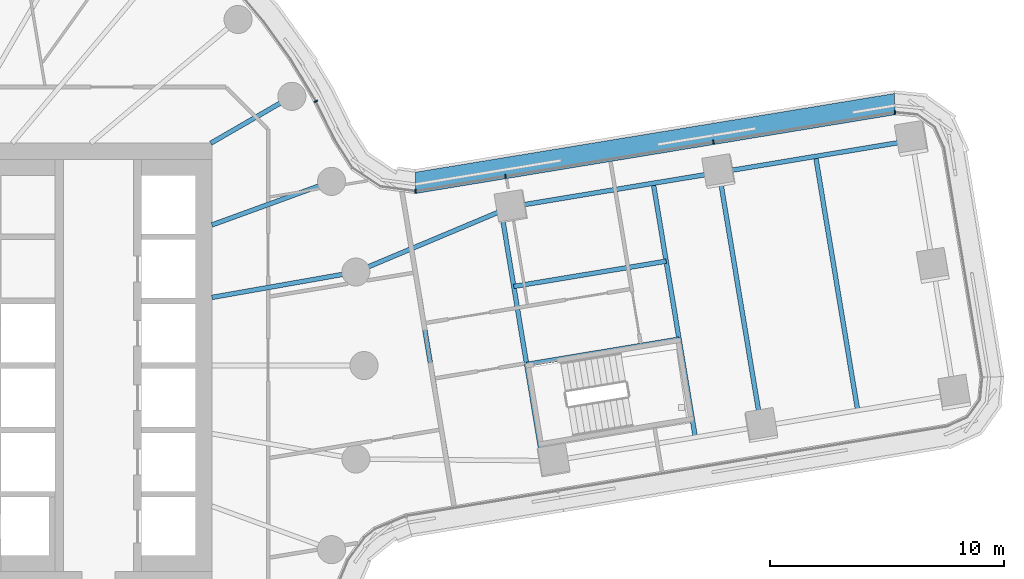
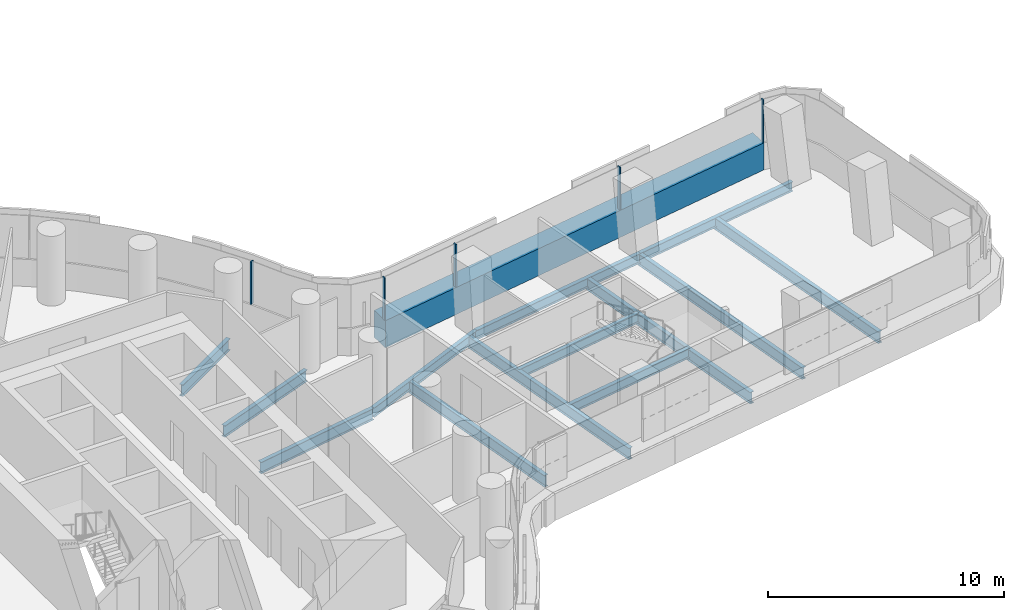
# One storey, part 13 of 32: 13 beams, 6 members, 2 elements without a shape of their own.
"""IFC4 building model written with IfcOpenShell, lengths in metres."""

from ifc_helpers import new_model, si_unit, direction, frame, origin, origin_2d, place, context, subcontext, project, spatial, polyline, rectangle, i_section, outline, extrude, material, layer, layer_set, material_profile, profile_set, type_object, element, aggregate, save


model = new_model("IFC4")

# Units and contexts
model_context = context("Model", 3, precision=1e-05, world=origin(), true_north=direction((0.0, 1.0)))
body_context = subcontext(model_context, "Body", "Model", "MODEL_VIEW")
ifc_project = project(units=[si_unit("LENGTHUNIT", "METRE"), si_unit("AREAUNIT", "SQUARE_METRE"), si_unit("VOLUMEUNIT", "CUBIC_METRE"), si_unit("PLANEANGLEUNIT", "RADIAN"), si_unit("MASSUNIT", "GRAM", prefix="KILO")], contexts=[model_context])

# Site, building, storey
site_placement = place(None, origin())
site = spatial("IfcSite", under=ifc_project, at=site_placement, CompositionType="ELEMENT")
building_placement = place(site_placement, origin())
building = spatial("IfcBuilding", under=site, at=building_placement, Name="Tamarind Cross Interchange Tower", CompositionType="ELEMENT")
storey_placement = place(building_placement, frame((0.0, 0.0, 67.75)))
storey = spatial("IfcBuildingStorey", under=building, at=storey_placement, Name="L15", CompositionType="ELEMENT", Elevation=67.75)

# Beams
ifc_material_1 = material(Name="Steel Q355B", Category="steel")
ifc_material_profile_1 = material_profile(ifc_material_1, i_section(OverallWidth=0.198974609375, OverallDepth=0.49609375, WebThickness=0.009033203125, FlangeThickness=0.013916015625, FilletRadius=0.012939453125, at=origin_2d()), Name="HN 496x199x9x14")
ifc_profile_set_1 = profile_set([ifc_material_profile_1], Name="Steel Q355B")
beam_type_1 = type_object("IfcBeamType", Name="Composite beam HN 496x199x9x14 Q355B", PredefinedType="BEAM", material=ifc_profile_set_1)
beam_1_placement = place(storey_placement, frame((46.4169921875, 9.618408203125, -0.387939453125), z_axis=(-0.986567008347, -0.163357087517, 0.0), x_axis=(0.163357087517, -0.986567008347, 0.0)))
element("IfcBeam", 1, at=beam_1_placement, inside=storey, type_object=beam_type_1, Name="Beam E-edgeep2", PredefinedType="BEAM", context=body_context, shape_type="SweptSolid", body=[
    extrude(i_section(OverallWidth=0.198974609375, OverallDepth=0.49609375, WebThickness=0.009033203125, FlangeThickness=0.013916015625, FilletRadius=0.012939453125, at=origin_2d()), origin(), (0.0, 0.0, 1.0), 8.3603515625),
])
beam_2_placement = place(storey_placement, frame((38.1689453125, 8.252685546875, -0.387939453125), z_axis=(-0.986562757617, -0.163382756994, 0.0), x_axis=(0.163382756994, -0.986562757617, 0.0)))
element("IfcBeam", 2, at=beam_2_placement, inside=storey, type_object=beam_type_1, Name="Beam E-edgeep3", PredefinedType="BEAM", context=body_context, shape_type="SweptSolid", body=[
    extrude(i_section(OverallWidth=0.198974609375, OverallDepth=0.49609375, WebThickness=0.009033203125, FlangeThickness=0.013916015625, FilletRadius=0.012939453125, at=origin_2d()), origin(), (0.0, 0.0, 1.0), 9.0),
])
beam_3_placement = place(storey_placement, frame((29.289794921875, 6.7822265625, -0.387939453125), z_axis=(-0.921987915658, -0.387218650611, 0.0), x_axis=(0.387218650611, -0.921987915658, 0.0)))
element("IfcBeam", 3, at=beam_3_placement, inside=storey, type_object=beam_type_1, Name="Beam E-linkep", PredefinedType="BEAM", context=body_context, shape_type="SweptSolid", body=[
    extrude(i_section(OverallWidth=0.198974609375, OverallDepth=0.49609375, WebThickness=0.009033203125, FlangeThickness=0.013916015625, FilletRadius=0.012939453125, at=origin_2d()), origin(), (0.0, 0.0, 1.0), 7.200927734375),
])
beam_4_placement = place(storey_placement, frame((29.94873046875, 0.04931640625, -0.387939453125), z_axis=(0.986561370107, 0.163391135049, 0.0), x_axis=(-0.163391135049, 0.986561370107, 0.0)))
element("IfcBeam", 4, at=beam_4_placement, inside=storey, type_object=beam_type_1, Name="Beam E-tr1", PredefinedType="BEAM", context=body_context, shape_type="SweptSolid", body=[
    extrude(i_section(OverallWidth=0.198974609375, OverallDepth=0.49609375, WebThickness=0.009033203125, FlangeThickness=0.013916015625, FilletRadius=0.012939453125, at=origin_2d()), origin(), (0.0, 0.0, 1.0), 6.599853515625),
])
beam_5_placement = place(storey_placement, frame((29.397216796875, 3.37890625, -0.387939453125), z_axis=(0.986562357601, 0.163385172417, 0.0), x_axis=(-0.163385172417, 0.986562357601, 0.0)))
element("IfcBeam", 5, at=beam_5_placement, inside=storey, type_object=beam_type_1, Name="Beam E-stripp", PredefinedType="BEAM", context=body_context, shape_type="SweptSolid", body=[
    extrude(i_section(OverallWidth=0.198974609375, OverallDepth=0.49609375, WebThickness=0.009033203125, FlangeThickness=0.013916015625, FilletRadius=0.012939453125, at=origin_2d()), origin(), (0.0, 0.0, 1.0), 6.60009765625),
])
ifc_material_profile_2 = material_profile(ifc_material_1, i_section(OverallWidth=0.198974609375, OverallDepth=0.595947265625, WebThickness=0.010009765625, FlangeThickness=0.014892578125, FilletRadius=0.012939453125, at=origin_2d()), Name="HN 596x199x10x15")
ifc_profile_set_2 = profile_set([ifc_material_profile_2], Name="Steel Q355B")
beam_type_2 = type_object("IfcBeamType", Name="Composite beam HN 596x199x10x15 Q355B", PredefinedType="BEAM", material=ifc_profile_set_2)
beam_6_placement = place(storey_placement, frame((22.650634765625, 3.993896484375, -0.43798828125), z_axis=(-0.984809127561, -0.173640382036, 0.0), x_axis=(0.173640382036, -0.984809127561, 0.0)))
element("IfcBeam", 6, at=beam_6_placement, inside=storey, type_object=beam_type_2, Name="Beam HH01", PredefinedType="BEAM", context=body_context, shape_type="SweptSolid", body=[
    extrude(i_section(OverallWidth=0.198974609375, OverallDepth=0.595947265625, WebThickness=0.010009765625, FlangeThickness=0.014892578125, FilletRadius=0.012939453125, at=origin_2d()), origin(), (0.0, 0.0, 1.0), 6.24560546875),
])
beam_7_placement = place(storey_placement, frame((21.613037109375, 7.866455078125, -0.43798828125), z_axis=(-0.939701685589, -0.341995236956, 0.0), x_axis=(0.341995236956, -0.939701685589, 0.0)))
element("IfcBeam", 7, at=beam_7_placement, inside=storey, type_object=beam_type_2, Name="Beam HH02", PredefinedType="BEAM", context=body_context, shape_type="SweptSolid", body=[
    extrude(i_section(OverallWidth=0.198974609375, OverallDepth=0.595947265625, WebThickness=0.010009765625, FlangeThickness=0.014892578125, FilletRadius=0.012939453125, at=origin_2d()), origin(), (0.0, 0.0, 1.0), 5.441162109375),
])
beam_8_placement = place(storey_placement, frame((19.918701171875, 11.5, -0.43798828125), z_axis=(-0.866026010844, -0.49999894854, 0.0), x_axis=(0.49999894854, -0.866026010844, 0.0)))
element("IfcBeam", 8, at=beam_8_placement, inside=storey, type_object=beam_type_2, Name="Beam HH03", PredefinedType="BEAM", context=body_context, shape_type="SweptSolid", body=[
    extrude(i_section(OverallWidth=0.198974609375, OverallDepth=0.595947265625, WebThickness=0.010009765625, FlangeThickness=0.014892578125, FilletRadius=0.012939453125, at=origin_2d()), origin(), (0.0, 0.0, 1.0), 4.0),
])
ifc_material_profile_3 = material_profile(ifc_material_1, i_section(OverallWidth=0.199951171875, OverallDepth=0.60009765625, WebThickness=0.010986328125, FlangeThickness=0.01708984375, FilletRadius=0.012939453125, at=origin_2d()), Name="HN 600x200x11x17")
ifc_profile_set_3 = profile_set([ifc_material_profile_3], Name="Steel Q355B")
beam_type_3 = type_object("IfcBeamType", Name="Composite beam HN 600x200x11x17 Q355B", PredefinedType="BEAM", material=ifc_profile_set_3)
beam_9_placement = place(storey_placement, frame((30.63037109375, -4.06591796875, -0.43994140625), z_axis=(-0.163381157748, 0.986563022464, 0.0), x_axis=(-0.986563022464, -0.163381157748, 0.0)))
element("IfcBeam", 9, at=beam_9_placement, inside=storey, type_object=beam_type_3, Name="Beam E-x298", PredefinedType="BEAM", context=body_context, shape_type="SweptSolid", body=[
    extrude(i_section(OverallWidth=0.199951171875, OverallDepth=0.60009765625, WebThickness=0.010986328125, FlangeThickness=0.01708984375, FilletRadius=0.012939453125, at=origin_2d()), origin(), (0.0, 0.0, 1.0), 10.814208984375),
])
for number, where, z_axis, x_axis, name in (
    (10, (37.154541015625, -3.065185546875, -0.43994140625), (-0.163398335812, 0.986560177513, 0.0), (-0.986560177513, -0.163398335812, 0.0), "Beam E-x364"),
    (11, (39.966064453125, -2.599609375, -0.43994140625), (-0.163373156112, 0.986564347553, 0.0), (-0.986564347553, -0.163373156112, 0.0), "Beam E-x393"),
):
    element("IfcBeam", number, at=place(storey_placement, frame(where, z_axis=z_axis, x_axis=x_axis)), inside=storey, type_object=beam_type_3, Name=name, PredefinedType="BEAM", context=body_context, shape_type="SweptSolid", body=[
        extrude(i_section(OverallWidth=0.199951171875, OverallDepth=0.60009765625, WebThickness=0.010986328125, FlangeThickness=0.01708984375, FilletRadius=0.012939453125, at=origin_2d()), origin(), (0.0, 0.0, 1.0), 11.0),
    ])
beam_10_placement = place(storey_placement, frame((26.51904296875, -4.02880859375, -0.43994140625), z_axis=(-0.163394300223, 0.986560845896, 0.0), x_axis=(-0.986560845896, -0.163394300223, 0.0)))
element("IfcBeam", 12, at=beam_10_placement, inside=storey, type_object=beam_type_3, Name="Beam E-x258", PredefinedType="BEAM", context=body_context, shape_type="SweptSolid", body=[
    extrude(i_section(OverallWidth=0.199951171875, OverallDepth=0.60009765625, WebThickness=0.010986328125, FlangeThickness=0.01708984375, FilletRadius=0.012939453125, at=origin_2d()), origin(), (0.0, 0.0, 1.0), 9.142822265625),
])
beam_11_placement = place(storey_placement, frame((44.090087890625, -1.916748046875, -0.43994140625), z_axis=(-0.163373156112, 0.986564347553, 0.0), x_axis=(-0.986564347553, -0.163373156112, 0.0)))
element("IfcBeam", 13, at=beam_11_placement, inside=storey, type_object=beam_type_3, Name="Beam E-x435", PredefinedType="BEAM", context=body_context, shape_type="SweptSolid", body=[
    extrude(i_section(OverallWidth=0.199951171875, OverallDepth=0.60009765625, WebThickness=0.010986328125, FlangeThickness=0.01708984375, FilletRadius=0.012939453125, at=origin_2d()), origin(), (0.0, 0.0, 1.0), 11.0),
])

# Curtain wall, members
ifc_material_2 = material(Name="Aluminium 6063-T6", Category="aluminium")
ifc_layer = layer(ifc_material_2, 0.159912109375)
ifc_layer_set = layer_set([ifc_layer], Name="Aluminium 6063-T6")
curtain_wall_type = type_object("IfcCurtainWallType", Name="Office curtain wall, 9.0 m bays", PredefinedType="NOTDEFINED", material=ifc_layer_set)
curtain_wall_1_placement = place(storey_placement, origin())
curtain_wall_1 = element("IfcCurtainWall", 14, at=curtain_wall_1_placement, inside=storey, type_object=curtain_wall_type, Name="CWS-L15-13", PredefinedType="NOTDEFINED")
ifc_material_3 = material(Name="Aluminium and insulated spandrel panel", Category="aluminium")
member_type_1 = type_object("IfcMemberType", Name="Floor-edge blade transom", PredefinedType="USERDEFINED", material=ifc_material_3)
member_1_placement = place(storey_placement, origin())
member_1 = element("IfcMember", 15, at=member_1_placement, type_object=member_type_1, Name="CWT-L15-13", ObjectType="TRANSOM", PredefinedType="USERDEFINED", context=body_context, shape_type="SweptSolid", body=[
    extrude(outline(polyline([(45.6884765625, 10.71435546875), (25.204345703125, 7.347900390625), (25.1904296875, 8.2578125), (45.658935546875, 11.62158203125), (45.6884765625, 10.71435546875)])), origin(), (0.0, 0.0, 1.0), 1.39990234375),
])
ifc_material_profile_4 = material_profile(ifc_material_2, rectangle(XDim=0.06005859375, YDim=0.159912109375, at=origin_2d()), Name="Mullion CW1")
ifc_profile_set_4 = profile_set([ifc_material_profile_4], Name="Aluminium 6063-T6")
member_type_2 = type_object("IfcMemberType", Name="Mullion CW1", PredefinedType="MULLION", material=ifc_profile_set_4)
member_2_placement = place(storey_placement, frame((45.68505859375, 10.81494140625, 1.39990234375), z_axis=(0.0, 0.0, 1.0), x_axis=(-0.999468659138, -0.032594468883, 0.0)))
member_2 = element("IfcMember", 16, at=member_2_placement, type_object=member_type_2, Name="CWM-L15-13-00", PredefinedType="MULLION", context=body_context, shape_type="SweptSolid", body=[
    extrude(rectangle(XDim=0.06005859375, YDim=0.159912109375, at=origin_2d()), origin(), (0.0, 0.0, 1.0), 2.210205078125),
])
member_3_placement = place(storey_placement, frame((37.927490234375, 9.540283203125, 1.39990234375), z_axis=(0.0, 0.0, 1.0), x_axis=(-0.986763854922, -0.162163789482, 0.0)))
member_3 = element("IfcMember", 17, at=member_3_placement, type_object=member_type_2, Name="CWM-L15-13-01", PredefinedType="MULLION", context=body_context, shape_type="SweptSolid", body=[
    extrude(rectangle(XDim=0.06005859375, YDim=0.159912109375, at=origin_2d()), origin(), (0.0, 0.0, 1.0), 2.210205078125),
])
member_4_placement = place(storey_placement, frame((29.045166015625, 8.08056640625, 1.39990234375), z_axis=(0.0, 0.0, 1.0), x_axis=(-0.986763854922, -0.162163789482, 0.0)))
member_4 = element("IfcMember", 18, at=member_4_placement, type_object=member_type_2, Name="CWM-L15-13-02", PredefinedType="MULLION", context=body_context, shape_type="SweptSolid", body=[
    extrude(rectangle(XDim=0.06005859375, YDim=0.159912109375, at=origin_2d()), origin(), (0.0, 0.0, 1.0), 2.210205078125),
])
aggregate(curtain_wall_1, [member_2, member_3, member_4, member_1])

curtain_wall_2_placement = place(storey_placement, origin())
curtain_wall_2 = element("IfcCurtainWall", 19, at=curtain_wall_2_placement, inside=storey, type_object=curtain_wall_type, Name="CWS-L15-14", PredefinedType="NOTDEFINED")
member_5_placement = place(storey_placement, frame((25.202880859375, 7.448974609375, 1.39990234375), z_axis=(0.0, 0.0, 1.0), x_axis=(-0.999883237179, -0.015281099723, 0.0)))
member_5 = element("IfcMember", 20, at=member_5_placement, type_object=member_type_2, Name="CWM-L15-14-00", PredefinedType="MULLION", context=body_context, shape_type="SweptSolid", body=[
    extrude(rectangle(XDim=0.06005859375, YDim=0.159912109375, at=origin_2d()), origin(), (0.0, 0.0, 1.0), 2.210205078125),
])
member_6_placement = place(storey_placement, frame((20.943359375, 11.284912109375, 1.39990234375), z_axis=(0.0, 0.0, 1.0), x_axis=(-0.443058811505, 0.896492548518, 0.0)))
member_6 = element("IfcMember", 21, at=member_6_placement, type_object=member_type_2, Name="CWM-L15-14-01", PredefinedType="MULLION", context=body_context, shape_type="SweptSolid", body=[
    extrude(rectangle(XDim=0.06005859375, YDim=0.159912109375, at=origin_2d()), origin(), (0.0, 0.0, 1.0), 2.210205078125),
])
aggregate(curtain_wall_2, [member_5, member_6])

save(model, "model.ifc")
